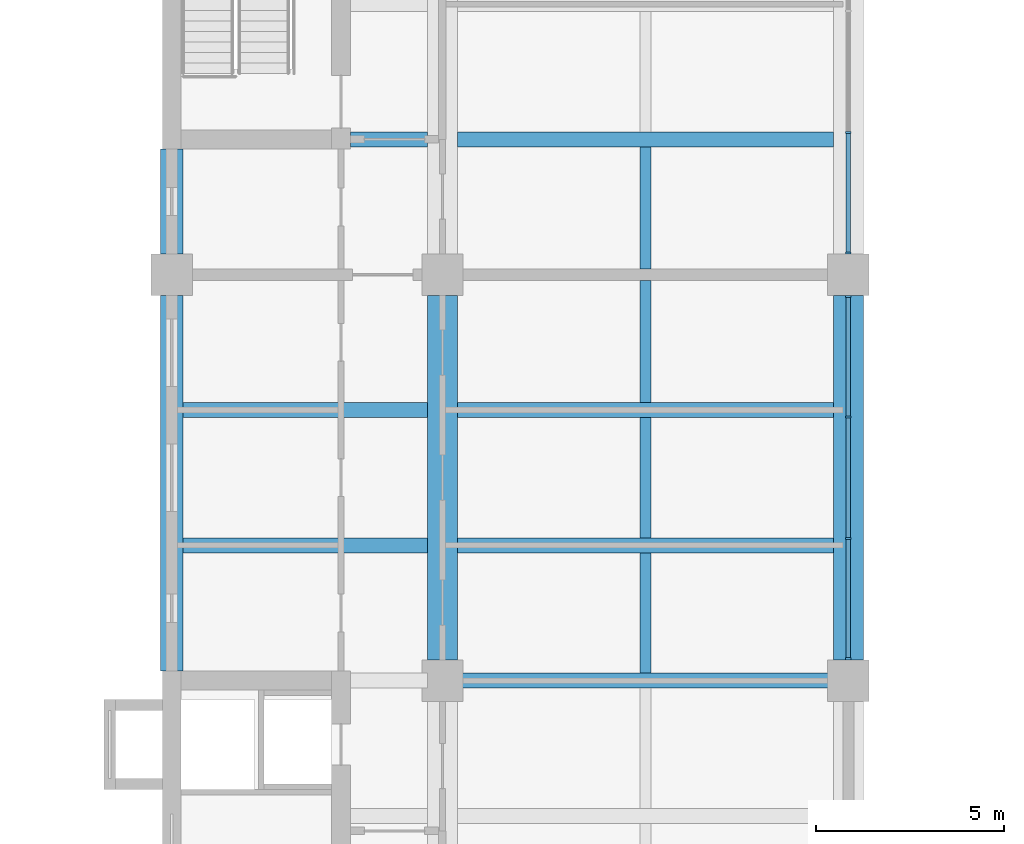
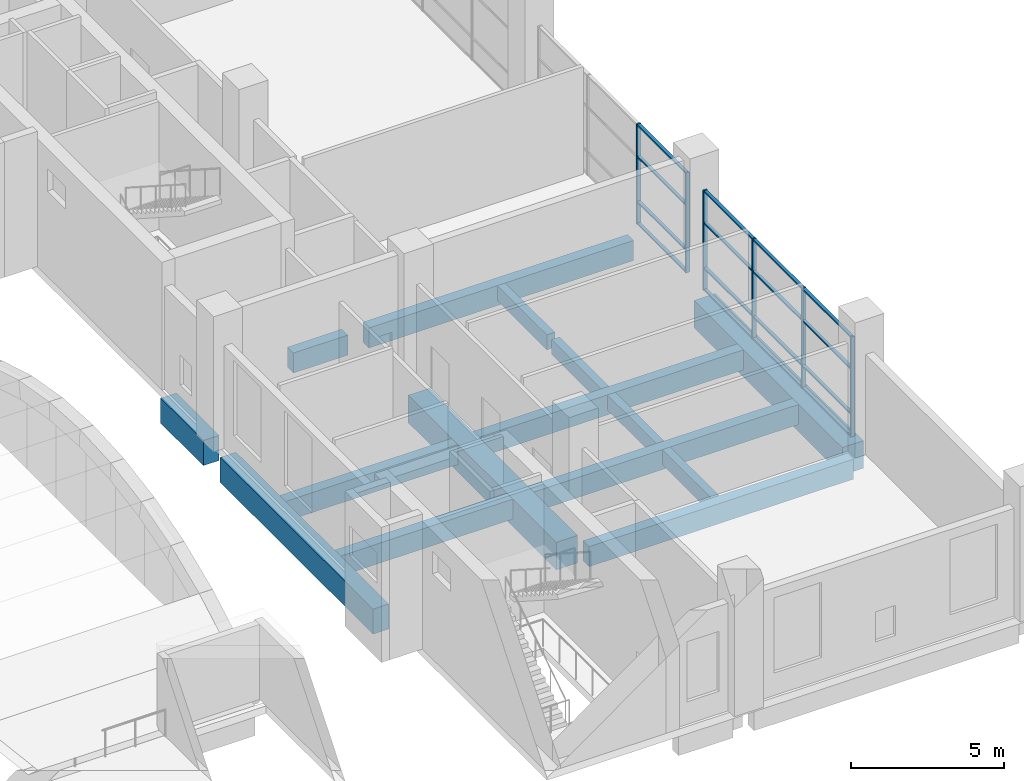
# One storey, part 3 of 32: 22 members, 15 beams, 2 elements without a shape of their own.
"""IFC4 building model written with IfcOpenShell, lengths in metres."""

from ifc_helpers import new_model, si_unit, direction, frame, origin, origin_2d, place, context, subcontext, project, spatial, rectangle, extrude, material, layer, layer_set, material_profile, profile_set, type_object, element, aggregate, save


model = new_model("IFC4")

# Units and contexts
model_context = context("Model", 3, precision=1e-05, world=origin(), true_north=direction((0.0, 1.0)))
body_context = subcontext(model_context, "Body", "Model", "MODEL_VIEW")
ifc_project = project(units=[si_unit("LENGTHUNIT", "METRE"), si_unit("AREAUNIT", "SQUARE_METRE"), si_unit("VOLUMEUNIT", "CUBIC_METRE"), si_unit("PLANEANGLEUNIT", "RADIAN"), si_unit("MASSUNIT", "GRAM", prefix="KILO")], contexts=[model_context])

# Site, building, storey
site_placement = place(None, origin())
site = spatial("IfcSite", under=ifc_project, at=site_placement, CompositionType="ELEMENT")
building_placement = place(site_placement, origin())
building = spatial("IfcBuilding", under=site, at=building_placement, Name="Basin Gate Institute", CompositionType="ELEMENT")
storey_placement = place(building_placement, frame((0.0, 0.0, 11.39990234375)))
storey = spatial("IfcBuildingStorey", under=building, at=storey_placement, Name="L02", CompositionType="ELEMENT", Elevation=11.39990234375)

# Beams
ifc_material_1 = material(Name="Concrete 40 MPa", Category="concrete")
ifc_material_profile_1 = material_profile(ifc_material_1, rectangle(XDim=0.39990234375, YDim=0.800048828125, at=origin_2d()), Name="Beam B2 400 x 800")
ifc_profile_set_1 = profile_set([ifc_material_profile_1], Name="Concrete 40 MPa")
beam_type_1 = type_object("IfcBeamType", Name="Beam B2 R180", PredefinedType="BEAM", material=ifc_profile_set_1)
for number, where, z_axis, x_axis, name in (
    (1, (68.800048828125, 45.89990234375, -0.699951171875), (1.0, 0.0, 0.0), (0.0, 1.0, 0.0), "BEAM/L02/W/EW/04"),
    (2, (68.800048828125, 49.5, -0.699951171875), (1.0, 0.0, 0.0), (0.0, 1.0, 0.0), "BEAM/L02/W/EW/05"),
):
    element("IfcBeam", number, at=place(storey_placement, frame(where, z_axis=z_axis, x_axis=x_axis)), inside=storey, type_object=beam_type_1, material=ifc_profile_set_1, Name=name, PredefinedType="BEAM", context=body_context, shape_type="SweptSolid", body=[
        extrude(rectangle(XDim=0.39990234375, YDim=0.800048828125, at=origin_2d()), origin(), (0.0, 0.0, 1.0), 10.0),
    ])
beam_1_placement = place(storey_placement, frame((61.5, 49.5, -0.699951171875), z_axis=(1.0, 0.0, 0.0), x_axis=(0.0, 1.0, 0.0)))
element("IfcBeam", 3, at=beam_1_placement, inside=storey, type_object=beam_type_1, material=ifc_profile_set_1, Name="BEAM/L02/W/OUT/05", PredefinedType="BEAM", context=body_context, shape_type="SweptSolid", body=[
    extrude(rectangle(XDim=0.39990234375, YDim=0.800048828125, at=origin_2d()), origin(), (0.0, 0.0, 1.0), 6.5),
])
beam_2_placement = place(storey_placement, frame((68.800048828125, 53.10009765625, -0.699951171875), z_axis=(1.0, 0.0, 0.0), x_axis=(0.0, 1.0, 0.0)))
element("IfcBeam", 4, at=beam_2_placement, inside=storey, type_object=beam_type_1, material=ifc_profile_set_1, Name="BEAM/L02/W/EW/06", PredefinedType="BEAM", context=body_context, shape_type="SweptSolid", body=[
    extrude(rectangle(XDim=0.39990234375, YDim=0.800048828125, at=origin_2d()), origin(), (0.0, 0.0, 1.0), 10.0),
])
beam_3_placement = place(storey_placement, frame((61.5, 53.10009765625, -0.699951171875), z_axis=(1.0, 0.0, 0.0), x_axis=(0.0, 1.0, 0.0)))
element("IfcBeam", 5, at=beam_3_placement, inside=storey, type_object=beam_type_1, material=ifc_profile_set_1, Name="BEAM/L02/W/OUT/06", PredefinedType="BEAM", context=body_context, shape_type="SweptSolid", body=[
    extrude(rectangle(XDim=0.39990234375, YDim=0.800048828125, at=origin_2d()), origin(), (0.0, 0.0, 1.0), 6.5),
])
beam_4_placement = place(storey_placement, frame((68.800048828125, 60.300048828125, -0.699951171875), z_axis=(1.0, 0.0, 0.0), x_axis=(0.0, 1.0, 0.0)))
element("IfcBeam", 6, at=beam_4_placement, inside=storey, type_object=beam_type_1, material=ifc_profile_set_1, Name="BEAM/L02/W/EW/08", PredefinedType="BEAM", context=body_context, shape_type="SweptSolid", body=[
    extrude(rectangle(XDim=0.39990234375, YDim=0.800048828125, at=origin_2d()), origin(), (0.0, 0.0, 1.0), 10.0),
])
beam_5_placement = place(storey_placement, frame((65.949951171875, 60.300048828125, -0.699951171875), z_axis=(1.0, 0.0, 0.0), x_axis=(0.0, 1.0, 0.0)))
element("IfcBeam", 7, at=beam_5_placement, inside=storey, type_object=beam_type_1, material=ifc_profile_set_1, Name="BEAM/L02/W/CORR/08", PredefinedType="BEAM", context=body_context, shape_type="SweptSolid", body=[
    extrude(rectangle(XDim=0.39990234375, YDim=0.800048828125, at=origin_2d()), origin(), (0.0, 0.0, 1.0), 2.050048828125),
])
ifc_material_2 = material(Name="Concrete 50 MPa", Category="concrete")
ifc_material_profile_2 = material_profile(ifc_material_2, rectangle(XDim=0.60009765625, YDim=1.0, at=origin_2d()), Name="Edge beam EB2 600 x 1000")
ifc_profile_set_2 = profile_set([ifc_material_profile_2], Name="Concrete 50 MPa")
beam_type_2 = type_object("IfcBeamType", Name="Edge beam EB2 R180", PredefinedType="SPANDREL", material=ifc_profile_set_2)
beam_6_placement = place(storey_placement, frame((61.199951171875, 46.14990234375, -0.7998046875), z_axis=(0.0, 1.0, 0.0), x_axis=(-1.0, 0.0, 0.0)))
element("IfcBeam", 8, at=beam_6_placement, inside=storey, type_object=beam_type_2, material=ifc_profile_set_2, Name="BEAM/L02/W/EDGE/1", PredefinedType="SPANDREL", context=body_context, shape_type="SweptSolid", body=[
    extrude(rectangle(XDim=0.60009765625, YDim=1.0, at=origin_2d()), origin(), (0.0, 0.0, 1.0), 10.0),
])
ifc_material_3 = material(Name="Concrete 50 MPa", Category="concrete")
ifc_material_profile_3 = material_profile(ifc_material_3, rectangle(XDim=0.60009765625, YDim=1.0, at=origin_2d()), Name="Edge return beam EB4 600 x 1000")
ifc_profile_set_3 = profile_set([ifc_material_profile_3], Name="Concrete 50 MPa")
beam_type_3 = type_object("IfcBeamType", Name="Edge return beam EB4 R180", PredefinedType="SPANDREL", material=ifc_profile_set_3)
beam_7_placement = place(storey_placement, frame((61.199951171875, 57.25, -0.7998046875), z_axis=(0.0, 1.0, 0.0), x_axis=(-1.0, 0.0, 0.0)))
element("IfcBeam", 9, at=beam_7_placement, inside=storey, type_object=beam_type_3, material=ifc_profile_set_3, Name="BEAM/L02/W/EDGE/2", PredefinedType="SPANDREL", context=body_context, shape_type="SweptSolid", body=[
    extrude(rectangle(XDim=0.60009765625, YDim=1.0, at=origin_2d()), origin(), (0.0, 0.0, 1.0), 2.800048828125),
])
ifc_material_4 = material(Name="Concrete 50 MPa", Category="concrete")
ifc_material_profile_4 = material_profile(ifc_material_4, rectangle(XDim=0.800048828125, YDim=1.10009765625, at=origin_2d()), Name="Girder G2 800 x 1100")
ifc_profile_set_4 = profile_set([ifc_material_profile_4], Name="Concrete 50 MPa")
beam_type_4 = type_object("IfcBeamType", Name="Girder G2 R180", PredefinedType="BEAM", material=ifc_profile_set_4)
for number, where, z_axis, x_axis, name in (
    (10, (68.39990234375, 46.449951171875, -0.849853515625), (0.0, 1.0, 0.0), (-1.0, 0.0, 0.0), "GIR/L02/W5/2"),
    (11, (79.199951171875, 46.449951171875, -0.849853515625), (0.0, 1.0, 0.0), (-1.0, 0.0, 0.0), "GIR/L02/W6/2"),
):
    element("IfcBeam", number, at=place(storey_placement, frame(where, z_axis=z_axis, x_axis=x_axis)), inside=storey, type_object=beam_type_4, material=ifc_profile_set_4, Name=name, PredefinedType="BEAM", context=body_context, shape_type="SweptSolid", body=[
        extrude(rectangle(XDim=0.800048828125, YDim=1.10009765625, at=origin_2d()), origin(), (0.0, 0.0, 1.0), 9.699951171875),
    ])

# Curtain wall, members
ifc_material_5 = material(Name="Fire-resistant glazing in steel-free frame", Category="steel")
ifc_layer = layer(ifc_material_5, 0.199951171875)
ifc_layer_set = layer_set([ifc_layer], Name="Fire-resistant glazing in steel-free frame")
curtain_wall_type = type_object("IfcCurtainWallType", Name="Atrium rated curtain wall CW3", PredefinedType="NOTDEFINED", material=ifc_layer_set)
curtain_wall_1_placement = place(storey_placement, origin())
curtain_wall_1 = element("IfcCurtainWall", 12, at=curtain_wall_1_placement, inside=storey, type_object=curtain_wall_type, material=ifc_layer_set, Name="Atrium rated curtain wall W wing atrium bay 2 L02", PredefinedType="NOTDEFINED")
ifc_material_6 = material(Name="Aluminium", Category="aluminium")
ifc_material_profile_5 = material_profile(ifc_material_6, rectangle(XDim=0.14990234375, YDim=0.06005859375, at=origin_2d()), Name="Mullion MU3 150 x 60")
ifc_profile_set_5 = profile_set([ifc_material_profile_5], Name="Aluminium")
member_type_1 = type_object("IfcMemberType", Name="Mullion MU3", PredefinedType="MULLION", material=ifc_profile_set_5)
member_1_placement = place(storey_placement, frame((79.199951171875, 46.47998046875, 0.0), z_axis=(0.0, 0.0, 1.0), x_axis=(-1.0, 0.0, 0.0)))
member_1 = element("IfcMember", 13, at=member_1_placement, type_object=member_type_1, material=ifc_profile_set_5, Name="CW3 mullion 1", PredefinedType="MULLION", context=body_context, shape_type="SweptSolid", body=[
    extrude(rectangle(XDim=0.14990234375, YDim=0.06005859375, at=origin_2d()), origin(), (0.0, 0.0, 1.0), 4.0),
])
member_2_placement = place(storey_placement, frame((79.199951171875, 49.683349609375, 0.0), z_axis=(0.0, 0.0, 1.0), x_axis=(-1.0, 0.0, 0.0)))
member_2 = element("IfcMember", 14, at=member_2_placement, type_object=member_type_1, material=ifc_profile_set_5, Name="CW3 mullion 2", PredefinedType="MULLION", context=body_context, shape_type="SweptSolid", body=[
    extrude(rectangle(XDim=0.14990234375, YDim=0.06005859375, at=origin_2d()), origin(), (0.0, 0.0, 1.0), 4.0),
])
member_3_placement = place(storey_placement, frame((79.199951171875, 52.916748046875, 0.0), z_axis=(0.0, 0.0, 1.0), x_axis=(-1.0, 0.0, 0.0)))
member_3 = element("IfcMember", 15, at=member_3_placement, type_object=member_type_1, material=ifc_profile_set_5, Name="CW3 mullion 3", PredefinedType="MULLION", context=body_context, shape_type="SweptSolid", body=[
    extrude(rectangle(XDim=0.14990234375, YDim=0.06005859375, at=origin_2d()), origin(), (0.0, 0.0, 1.0), 4.0),
])
member_4_placement = place(storey_placement, frame((79.199951171875, 56.1201171875, 0.0), z_axis=(0.0, 0.0, 1.0), x_axis=(-1.0, 0.0, 0.0)))
member_4 = element("IfcMember", 16, at=member_4_placement, type_object=member_type_1, material=ifc_profile_set_5, Name="CW3 mullion 4", PredefinedType="MULLION", context=body_context, shape_type="SweptSolid", body=[
    extrude(rectangle(XDim=0.14990234375, YDim=0.06005859375, at=origin_2d()), origin(), (0.0, 0.0, 1.0), 4.0),
])

curtain_wall_2_placement = place(storey_placement, origin())
curtain_wall_2 = element("IfcCurtainWall", 17, at=curtain_wall_2_placement, inside=storey, type_object=curtain_wall_type, material=ifc_layer_set, Name="Atrium rated curtain wall W wing atrium bay 3 L02", PredefinedType="NOTDEFINED")
member_5_placement = place(storey_placement, frame((79.199951171875, 57.280029296875, 0.0), z_axis=(0.0, 0.0, 1.0), x_axis=(-1.0, 0.0, 0.0)))
member_5 = element("IfcMember", 18, at=member_5_placement, type_object=member_type_1, material=ifc_profile_set_5, Name="CW3 mullion 1", PredefinedType="MULLION", context=body_context, shape_type="SweptSolid", body=[
    extrude(rectangle(XDim=0.14990234375, YDim=0.06005859375, at=origin_2d()), origin(), (0.0, 0.0, 1.0), 4.0),
])
member_6_placement = place(storey_placement, frame((79.199951171875, 60.4833984375, 0.0), z_axis=(0.0, 0.0, 1.0), x_axis=(-1.0, 0.0, 0.0)))
member_6 = element("IfcMember", 19, at=member_6_placement, type_object=member_type_1, material=ifc_profile_set_5, Name="CW3 mullion 2", PredefinedType="MULLION", context=body_context, shape_type="SweptSolid", body=[
    extrude(rectangle(XDim=0.14990234375, YDim=0.06005859375, at=origin_2d()), origin(), (0.0, 0.0, 1.0), 4.0),
])

# Beams
ifc_material_7 = material(Name="Concrete 40 MPa", Category="concrete")
ifc_material_profile_6 = material_profile(ifc_material_7, rectangle(XDim=0.300048828125, YDim=0.60009765625, at=origin_2d()), Name="Rib R2 300 x 600")
ifc_profile_set_6 = profile_set([ifc_material_profile_6], Name="Concrete 40 MPa")
beam_type_5 = type_object("IfcBeamType", Name="Rib R2 R180", PredefinedType="JOIST", material=ifc_profile_set_6)
for number, where, z_axis, x_axis, name in (
    (20, (73.800048828125, 46.10009765625, -0.599853515625), (0.0, 1.0, 0.0), (-1.0, 0.0, 0.0), "BEAM/L02/W/RIB/04"),
    (21, (73.800048828125, 49.699951171875, -0.599853515625), (0.0, 1.0, 0.0), (-1.0, 0.0, 0.0), "BEAM/L02/W/RIB/05"),
):
    element("IfcBeam", number, at=place(storey_placement, frame(where, z_axis=z_axis, x_axis=x_axis)), inside=storey, type_object=beam_type_5, material=ifc_profile_set_6, Name=name, PredefinedType="JOIST", context=body_context, shape_type="SweptSolid", body=[
        extrude(rectangle(XDim=0.300048828125, YDim=0.60009765625, at=origin_2d()), origin(), (0.0, 0.0, 1.0), 3.199951171875),
    ])
for number, where, z_axis, x_axis, name in (
    (22, (73.800048828125, 53.300048828125, -0.599853515625), (0.0, 1.0, 0.0), (-1.0, 0.0, 0.0), "BEAM/L02/W/RIB/06"),
    (23, (73.800048828125, 56.85009765625, -0.599853515625), (0.0, 1.0, 0.0), (-1.0, 0.0, 0.0), "BEAM/L02/W/RIB/07"),
):
    element("IfcBeam", number, at=place(storey_placement, frame(where, z_axis=z_axis, x_axis=x_axis)), inside=storey, type_object=beam_type_5, material=ifc_profile_set_6, Name=name, PredefinedType="JOIST", context=body_context, shape_type="SweptSolid", body=[
        extrude(rectangle(XDim=0.300048828125, YDim=0.60009765625, at=origin_2d()), origin(), (0.0, 0.0, 1.0), 3.25),
    ])

# Member
ifc_material_8 = material(Name="Aluminium", Category="aluminium")
ifc_material_profile_7 = material_profile(ifc_material_8, rectangle(XDim=0.1201171875, YDim=0.06005859375, at=origin_2d()), Name="Transom TR3 120 x 60")
ifc_profile_set_7 = profile_set([ifc_material_profile_7], Name="Aluminium")
member_type_2 = type_object("IfcMemberType", Name="Transom TR3", PredefinedType="USERDEFINED", material=ifc_profile_set_7)
member_7_placement = place(storey_placement, frame((79.199951171875, 46.510009765625, 0.030029296875), z_axis=(0.0, 1.0, 0.0), x_axis=(-1.0, 0.0, 0.0)))
member_7 = element("IfcMember", 24, at=member_7_placement, type_object=member_type_2, material=ifc_profile_set_7, Name="CW3 transom 1.1", ObjectType="TRANSOM", PredefinedType="USERDEFINED", context=body_context, shape_type="SweptSolid", body=[
    extrude(rectangle(XDim=0.1201171875, YDim=0.06005859375, at=origin_2d()), origin(), (0.0, 0.0, 1.0), 3.143310546875),
])

member_8_placement = place(storey_placement, frame((79.199951171875, 46.510009765625, 0.900146484375), z_axis=(0.0, 1.0, 0.0), x_axis=(-1.0, 0.0, 0.0)))
member_8 = element("IfcMember", 25, at=member_8_placement, type_object=member_type_2, material=ifc_profile_set_7, Name="CW3 transom 1.2", ObjectType="TRANSOM", PredefinedType="USERDEFINED", context=body_context, shape_type="SweptSolid", body=[
    extrude(rectangle(XDim=0.1201171875, YDim=0.06005859375, at=origin_2d()), origin(), (0.0, 0.0, 1.0), 3.143310546875),
])

member_9_placement = place(storey_placement, frame((79.199951171875, 46.510009765625, 2.7001953125), z_axis=(0.0, 1.0, 0.0), x_axis=(-1.0, 0.0, 0.0)))
member_9 = element("IfcMember", 26, at=member_9_placement, type_object=member_type_2, material=ifc_profile_set_7, Name="CW3 transom 1.3", ObjectType="TRANSOM", PredefinedType="USERDEFINED", context=body_context, shape_type="SweptSolid", body=[
    extrude(rectangle(XDim=0.1201171875, YDim=0.06005859375, at=origin_2d()), origin(), (0.0, 0.0, 1.0), 3.143310546875),
])

member_10_placement = place(storey_placement, frame((79.199951171875, 46.510009765625, 3.97021484375), z_axis=(0.0, 1.0, 0.0), x_axis=(-1.0, 0.0, 0.0)))
member_10 = element("IfcMember", 27, at=member_10_placement, type_object=member_type_2, material=ifc_profile_set_7, Name="CW3 transom 1.4", ObjectType="TRANSOM", PredefinedType="USERDEFINED", context=body_context, shape_type="SweptSolid", body=[
    extrude(rectangle(XDim=0.1201171875, YDim=0.06005859375, at=origin_2d()), origin(), (0.0, 0.0, 1.0), 3.143310546875),
])

member_11_placement = place(storey_placement, frame((79.199951171875, 49.71337890625, 0.030029296875), z_axis=(0.0, 1.0, 0.0), x_axis=(-1.0, 0.0, 0.0)))
member_11 = element("IfcMember", 28, at=member_11_placement, type_object=member_type_2, material=ifc_profile_set_7, Name="CW3 transom 2.1", ObjectType="TRANSOM", PredefinedType="USERDEFINED", context=body_context, shape_type="SweptSolid", body=[
    extrude(rectangle(XDim=0.1201171875, YDim=0.06005859375, at=origin_2d()), origin(), (0.0, 0.0, 1.0), 3.17333984375),
])

member_12_placement = place(storey_placement, frame((79.199951171875, 49.71337890625, 0.900146484375), z_axis=(0.0, 1.0, 0.0), x_axis=(-1.0, 0.0, 0.0)))
member_12 = element("IfcMember", 29, at=member_12_placement, type_object=member_type_2, material=ifc_profile_set_7, Name="CW3 transom 2.2", ObjectType="TRANSOM", PredefinedType="USERDEFINED", context=body_context, shape_type="SweptSolid", body=[
    extrude(rectangle(XDim=0.1201171875, YDim=0.06005859375, at=origin_2d()), origin(), (0.0, 0.0, 1.0), 3.17333984375),
])

member_13_placement = place(storey_placement, frame((79.199951171875, 49.71337890625, 2.7001953125), z_axis=(0.0, 1.0, 0.0), x_axis=(-1.0, 0.0, 0.0)))
member_13 = element("IfcMember", 30, at=member_13_placement, type_object=member_type_2, material=ifc_profile_set_7, Name="CW3 transom 2.3", ObjectType="TRANSOM", PredefinedType="USERDEFINED", context=body_context, shape_type="SweptSolid", body=[
    extrude(rectangle(XDim=0.1201171875, YDim=0.06005859375, at=origin_2d()), origin(), (0.0, 0.0, 1.0), 3.17333984375),
])

member_14_placement = place(storey_placement, frame((79.199951171875, 49.71337890625, 3.97021484375), z_axis=(0.0, 1.0, 0.0), x_axis=(-1.0, 0.0, 0.0)))
member_14 = element("IfcMember", 31, at=member_14_placement, type_object=member_type_2, material=ifc_profile_set_7, Name="CW3 transom 2.4", ObjectType="TRANSOM", PredefinedType="USERDEFINED", context=body_context, shape_type="SweptSolid", body=[
    extrude(rectangle(XDim=0.1201171875, YDim=0.06005859375, at=origin_2d()), origin(), (0.0, 0.0, 1.0), 3.17333984375),
])

member_15_placement = place(storey_placement, frame((79.199951171875, 52.94677734375, 0.030029296875), z_axis=(0.0, 1.0, 0.0), x_axis=(-1.0, 0.0, 0.0)))
member_15 = element("IfcMember", 32, at=member_15_placement, type_object=member_type_2, material=ifc_profile_set_7, Name="CW3 transom 3.1", ObjectType="TRANSOM", PredefinedType="USERDEFINED", context=body_context, shape_type="SweptSolid", body=[
    extrude(rectangle(XDim=0.1201171875, YDim=0.06005859375, at=origin_2d()), origin(), (0.0, 0.0, 1.0), 3.143310546875),
])

member_16_placement = place(storey_placement, frame((79.199951171875, 52.94677734375, 0.900146484375), z_axis=(0.0, 1.0, 0.0), x_axis=(-1.0, 0.0, 0.0)))
member_16 = element("IfcMember", 33, at=member_16_placement, type_object=member_type_2, material=ifc_profile_set_7, Name="CW3 transom 3.2", ObjectType="TRANSOM", PredefinedType="USERDEFINED", context=body_context, shape_type="SweptSolid", body=[
    extrude(rectangle(XDim=0.1201171875, YDim=0.06005859375, at=origin_2d()), origin(), (0.0, 0.0, 1.0), 3.143310546875),
])

member_17_placement = place(storey_placement, frame((79.199951171875, 52.94677734375, 2.7001953125), z_axis=(0.0, 1.0, 0.0), x_axis=(-1.0, 0.0, 0.0)))
member_17 = element("IfcMember", 34, at=member_17_placement, type_object=member_type_2, material=ifc_profile_set_7, Name="CW3 transom 3.3", ObjectType="TRANSOM", PredefinedType="USERDEFINED", context=body_context, shape_type="SweptSolid", body=[
    extrude(rectangle(XDim=0.1201171875, YDim=0.06005859375, at=origin_2d()), origin(), (0.0, 0.0, 1.0), 3.143310546875),
])

member_18_placement = place(storey_placement, frame((79.199951171875, 52.94677734375, 3.97021484375), z_axis=(0.0, 1.0, 0.0), x_axis=(-1.0, 0.0, 0.0)))
member_18 = element("IfcMember", 35, at=member_18_placement, type_object=member_type_2, material=ifc_profile_set_7, Name="CW3 transom 3.4", ObjectType="TRANSOM", PredefinedType="USERDEFINED", context=body_context, shape_type="SweptSolid", body=[
    extrude(rectangle(XDim=0.1201171875, YDim=0.06005859375, at=origin_2d()), origin(), (0.0, 0.0, 1.0), 3.143310546875),
])

aggregate(curtain_wall_1, [member_1, member_2, member_3, member_4, member_7, member_8, member_9, member_10, member_11, member_12, member_13, member_14, member_15, member_16, member_17, member_18])

member_19_placement = place(storey_placement, frame((79.199951171875, 57.31005859375, 0.030029296875), z_axis=(0.0, 1.0, 0.0), x_axis=(-1.0, 0.0, 0.0)))
member_19 = element("IfcMember", 36, at=member_19_placement, type_object=member_type_2, material=ifc_profile_set_7, Name="CW3 transom 1.1", ObjectType="TRANSOM", PredefinedType="USERDEFINED", context=body_context, shape_type="SweptSolid", body=[
    extrude(rectangle(XDim=0.1201171875, YDim=0.06005859375, at=origin_2d()), origin(), (0.0, 0.0, 1.0), 3.143310546875),
])

member_20_placement = place(storey_placement, frame((79.199951171875, 57.31005859375, 0.900146484375), z_axis=(0.0, 1.0, 0.0), x_axis=(-1.0, 0.0, 0.0)))
member_20 = element("IfcMember", 37, at=member_20_placement, type_object=member_type_2, material=ifc_profile_set_7, Name="CW3 transom 1.2", ObjectType="TRANSOM", PredefinedType="USERDEFINED", context=body_context, shape_type="SweptSolid", body=[
    extrude(rectangle(XDim=0.1201171875, YDim=0.06005859375, at=origin_2d()), origin(), (0.0, 0.0, 1.0), 3.143310546875),
])

member_21_placement = place(storey_placement, frame((79.199951171875, 57.31005859375, 2.7001953125), z_axis=(0.0, 1.0, 0.0), x_axis=(-1.0, 0.0, 0.0)))
member_21 = element("IfcMember", 38, at=member_21_placement, type_object=member_type_2, material=ifc_profile_set_7, Name="CW3 transom 1.3", ObjectType="TRANSOM", PredefinedType="USERDEFINED", context=body_context, shape_type="SweptSolid", body=[
    extrude(rectangle(XDim=0.1201171875, YDim=0.06005859375, at=origin_2d()), origin(), (0.0, 0.0, 1.0), 3.143310546875),
])

member_22_placement = place(storey_placement, frame((79.199951171875, 57.31005859375, 3.97021484375), z_axis=(0.0, 1.0, 0.0), x_axis=(-1.0, 0.0, 0.0)))
member_22 = element("IfcMember", 39, at=member_22_placement, type_object=member_type_2, material=ifc_profile_set_7, Name="CW3 transom 1.4", ObjectType="TRANSOM", PredefinedType="USERDEFINED", context=body_context, shape_type="SweptSolid", body=[
    extrude(rectangle(XDim=0.1201171875, YDim=0.06005859375, at=origin_2d()), origin(), (0.0, 0.0, 1.0), 3.143310546875),
])

aggregate(curtain_wall_2, [member_5, member_6, member_19, member_20, member_21, member_22])

save(model, "model.ifc")
